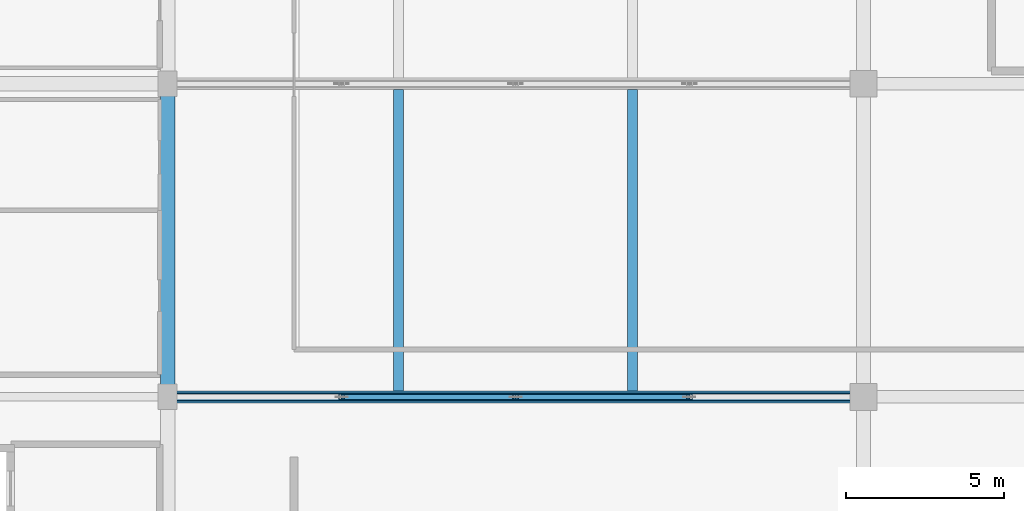
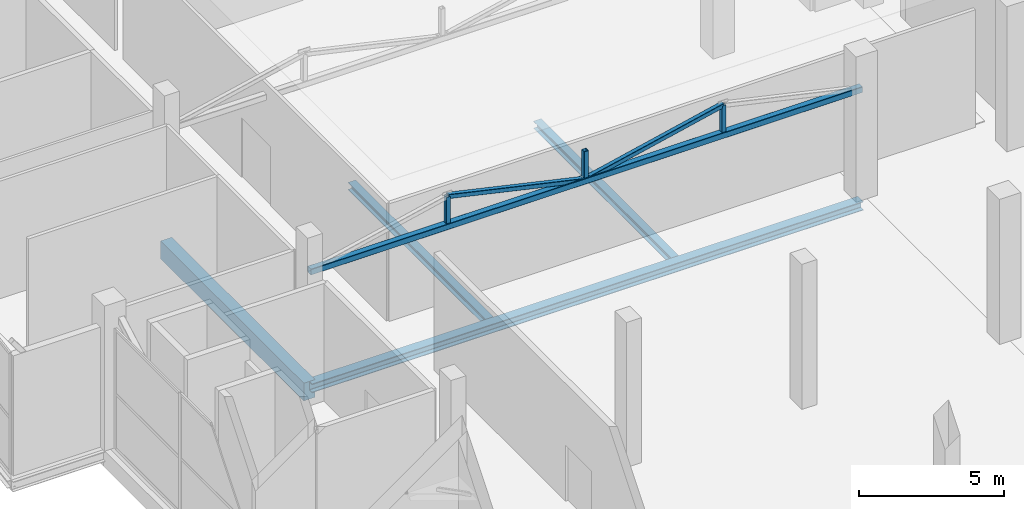
# One storey, part 10 of 58: 6 members, 4 beams.
"""IFC4 building model written with IfcOpenShell, lengths in metres."""

from ifc_helpers import new_model, si_unit, direction, frame, origin, origin_2d, place, context, subcontext, project, spatial, rectangle, hollow_rectangle, i_section, extrude, material, material_profile, profile_set, type_object, element, save


model = new_model("IFC4")

# Units and contexts
model_context = context("Model", 3, precision=1e-05, world=origin(), true_north=direction((0.0, 1.0)))
body_context = subcontext(model_context, "Body", "Model", "MODEL_VIEW")
ifc_project = project(units=[si_unit("LENGTHUNIT", "METRE"), si_unit("AREAUNIT", "SQUARE_METRE"), si_unit("VOLUMEUNIT", "CUBIC_METRE"), si_unit("PLANEANGLEUNIT", "RADIAN"), si_unit("MASSUNIT", "GRAM", prefix="KILO")], contexts=[model_context])

# Site, building, storey
site_placement = place(None, origin())
site = spatial("IfcSite", under=ifc_project, at=site_placement, CompositionType="ELEMENT")
building_placement = place(site_placement, origin())
building = spatial("IfcBuilding", under=site, at=building_placement, Name="Sillaruma Civic Art Gallery", CompositionType="ELEMENT")
storey_placement = place(building_placement, frame((0.0, 0.0, 22.43994140625)))
storey = spatial("IfcBuildingStorey", under=building, at=storey_placement, Name="L04", CompositionType="ELEMENT", Elevation=22.43994140625)

# Beams
ifc_material_1 = material(Name="Concrete H40 (40 MPa)", Category="concrete")
ifc_material_profile_1 = material_profile(ifc_material_1, rectangle(XDim=0.449951171875, YDim=0.75, at=origin_2d()), Name="RCB450x750")
ifc_profile_set_1 = profile_set([ifc_material_profile_1], Name="Concrete H40 (40 MPa)")
beam_type_1 = type_object("IfcBeamType", Name="BM-BEAM-RCB450x750", PredefinedType="BEAM", material=ifc_profile_set_1)
beam_1_placement = place(storey_placement, frame((70.0, 49.5, -0.635009765625), z_axis=(0.0, 1.0, 0.0), x_axis=(-1.0, 0.0, 0.0)))
element("IfcBeam", 1, at=beam_1_placement, inside=storey, type_object=beam_type_1, Name="Beam BM-03 (L03:G:6-7)", PredefinedType="BEAM", context=body_context, shape_type="SweptSolid", body=[
    extrude(rectangle(XDim=0.449951171875, YDim=0.75, at=origin_2d()), origin(), (0.0, 0.0, 1.0), 9.89990234375),
])
ifc_material_2 = material(Name="Structural Steel ASTM A992 Gr.50", Category="steel")
ifc_material_profile_2 = material_profile(ifc_material_2, i_section(OverallWidth=0.305908203125, OverallDepth=0.31103515625, WebThickness=0.010986328125, FlangeThickness=0.01708984375, FilletRadius=0.014892578125, at=origin_2d()), Name="W310x107")
ifc_profile_set_2 = profile_set([ifc_material_profile_2], Name="Structural Steel ASTM A992 Gr.50")
beam_type_2 = type_object("IfcBeamType", Name="BM-JOIST-W310x107", PredefinedType="JOIST", material=ifc_profile_set_2)
for number, where, z_axis, x_axis, name in (
    (2, (77.300048828125, 49.68701171875, -0.41552734375), (0.0, 1.0, 0.0), (-1.0, 0.0, 0.0), "Long-Span Gallery Joist JS-03 (L03:6-7)"),
    (3, (84.699951171875, 49.68701171875, -0.41552734375), (0.0, 1.0, 0.0), (-1.0, 0.0, 0.0), "Long-Span Gallery Joist JS-03 (L03:6-7)"),
):
    element("IfcBeam", number, at=place(storey_placement, frame(where, z_axis=z_axis, x_axis=x_axis)), inside=storey, type_object=beam_type_2, Name=name, PredefinedType="JOIST", context=body_context, shape_type="SweptSolid", body=[
        extrude(i_section(OverallWidth=0.305908203125, OverallDepth=0.31103515625, WebThickness=0.010986328125, FlangeThickness=0.01708984375, FilletRadius=0.014892578125, at=origin_2d()), origin(), (0.0, 0.0, 1.0), 9.52587890625),
    ])
ifc_material_profile_3 = material_profile(ifc_material_2, i_section(OverallWidth=0.3740234375, OverallDepth=0.3720703125, WebThickness=0.016357421875, FlangeThickness=0.026123046875, FilletRadius=0.014892578125, at=origin_2d()), Name="W360x196")
ifc_profile_set_3 = profile_set([ifc_material_profile_3], Name="Structural Steel ASTM A992 Gr.50")
beam_type_3 = type_object("IfcBeamType", Name="BM-TRTOP-W360x196", PredefinedType="BEAM", material=ifc_profile_set_3)
beam_2_placement = place(storey_placement, frame((70.0, 49.5, -0.446044921875), z_axis=(1.0, 0.0, 0.0), x_axis=(0.0, 1.0, 0.0)))
element("IfcBeam", 4, at=beam_2_placement, inside=storey, type_object=beam_type_3, Name="Warren Truss Top Chord TR-L03-1", PredefinedType="BEAM", context=body_context, shape_type="SweptSolid", body=[
    extrude(i_section(OverallWidth=0.3740234375, OverallDepth=0.3720703125, WebThickness=0.016357421875, FlangeThickness=0.026123046875, FilletRadius=0.014892578125, at=origin_2d()), origin(), (0.0, 0.0, 1.0), 22.0),
])

# Members
ifc_material_3 = material(Name="Structural Steel ASTM A500 Gr.C", Category="steel")
ifc_material_profile_4 = material_profile(ifc_material_3, hollow_rectangle(XDim=0.179931640625, YDim=0.179931640625, WallThickness=0.010009765625, InnerFilletRadius=0.010009765625, OuterFilletRadius=0.02001953125, at=origin_2d()), Name="HSS180x180x10")
ifc_profile_set_4 = profile_set([ifc_material_profile_4], Name="Structural Steel ASTM A500 Gr.C")
member_type_1 = type_object("IfcMemberType", Name="MEM-BRACE-HSS180x180x10", PredefinedType="BRACE", material=ifc_profile_set_4)
for number, where, z_axis, x_axis, name in (
    (5, (75.5, 49.5, 5.654052734375), (0.975552224414, 0.0, -0.219767735214), (0.0, 1.0, 0.0), "Warren Truss Diagonal TR-L04-1-D2"),
    (6, (81.0, 49.5, 4.4150390625), (0.975552224414, 0.0, 0.219767735214), (0.0, 1.0, 0.0), "Warren Truss Diagonal TR-L04-1-D3"),
):
    element("IfcMember", number, at=place(storey_placement, frame(where, z_axis=z_axis, x_axis=x_axis)), inside=storey, type_object=member_type_1, Name=name, PredefinedType="BRACE", context=body_context, shape_type="SweptSolid", body=[
        extrude(hollow_rectangle(XDim=0.179931640625, YDim=0.179931640625, WallThickness=0.010009765625, InnerFilletRadius=0.010009765625, OuterFilletRadius=0.02001953125, at=origin_2d()), origin(), (0.0, 0.0, 1.0), 5.637939453125),
    ])
ifc_material_profile_5 = material_profile(ifc_material_3, hollow_rectangle(XDim=0.25, YDim=0.25, WallThickness=0.012451171875, InnerFilletRadius=0.012451171875, OuterFilletRadius=0.02490234375, at=origin_2d()), Name="HSS250x250x12.5")
ifc_profile_set_5 = profile_set([ifc_material_profile_5], Name="Structural Steel ASTM A500 Gr.C")
member_type_2 = type_object("IfcMemberType", Name="MEM-CHORD-HSS250x250x12.5", PredefinedType="CHORD", material=ifc_profile_set_5)
member_placement = place(storey_placement, frame((70.0, 49.5, 4.4150390625), z_axis=(1.0, 0.0, 0.0), x_axis=(0.0, 1.0, 0.0)))
element("IfcMember", 7, at=member_placement, inside=storey, type_object=member_type_2, Name="Warren Truss Bottom Chord TR-L04-1", PredefinedType="CHORD", context=body_context, shape_type="SweptSolid", body=[
    extrude(hollow_rectangle(XDim=0.25, YDim=0.25, WallThickness=0.012451171875, InnerFilletRadius=0.012451171875, OuterFilletRadius=0.02490234375, at=origin_2d()), origin(), (0.0, 0.0, 1.0), 22.0),
])
ifc_material_profile_6 = material_profile(ifc_material_3, hollow_rectangle(XDim=0.179931640625, YDim=0.179931640625, WallThickness=0.010009765625, InnerFilletRadius=0.010009765625, OuterFilletRadius=0.02001953125, at=origin_2d()), Name="HSS180x180x10")
ifc_profile_set_6 = profile_set([ifc_material_profile_6], Name="Structural Steel ASTM A500 Gr.C")
member_type_3 = type_object("IfcMemberType", Name="MEM-POST-HSS180x180x10", PredefinedType="POST", material=ifc_profile_set_6)
for number, where, z_axis, x_axis, name in (
    (8, (75.5, 49.5, 4.4150390625), (0.0, 0.0, 1.0), (1.0, 0.0, 0.0), "Warren Truss Vertical Post TR-L04-1-V1"),
    (9, (81.0, 49.5, 4.4150390625), (0.0, 0.0, 1.0), (1.0, 0.0, 0.0), "Warren Truss Vertical Post TR-L04-1-V2"),
    (10, (86.5, 49.5, 4.4150390625), (0.0, 0.0, 1.0), (1.0, 0.0, 0.0), "Warren Truss Vertical Post TR-L04-1-V3"),
):
    element("IfcMember", number, at=place(storey_placement, frame(where, z_axis=z_axis, x_axis=x_axis)), inside=storey, type_object=member_type_3, Name=name, PredefinedType="POST", context=body_context, shape_type="SweptSolid", body=[
        extrude(hollow_rectangle(XDim=0.179931640625, YDim=0.179931640625, WallThickness=0.010009765625, InnerFilletRadius=0.010009765625, OuterFilletRadius=0.02001953125, at=origin_2d()), origin(), (0.0, 0.0, 1.0), 1.239013671875),
    ])

save(model, "model.ifc")
